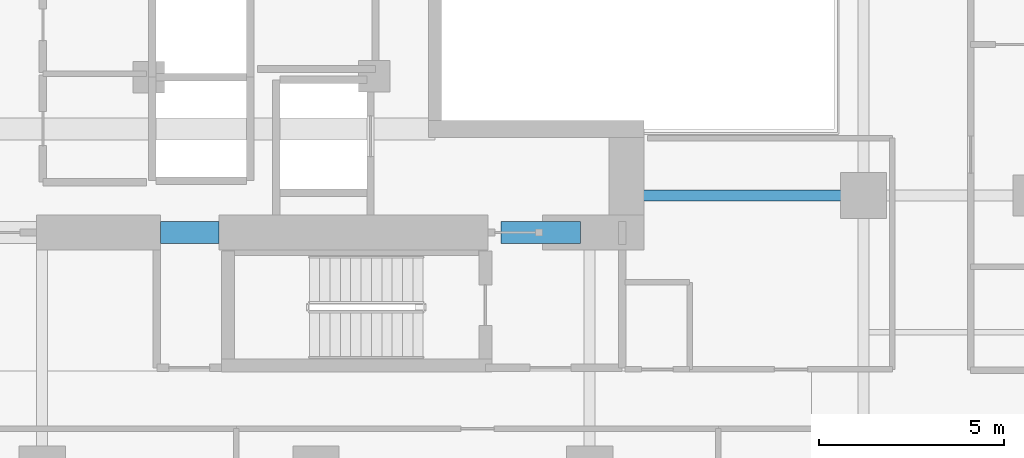
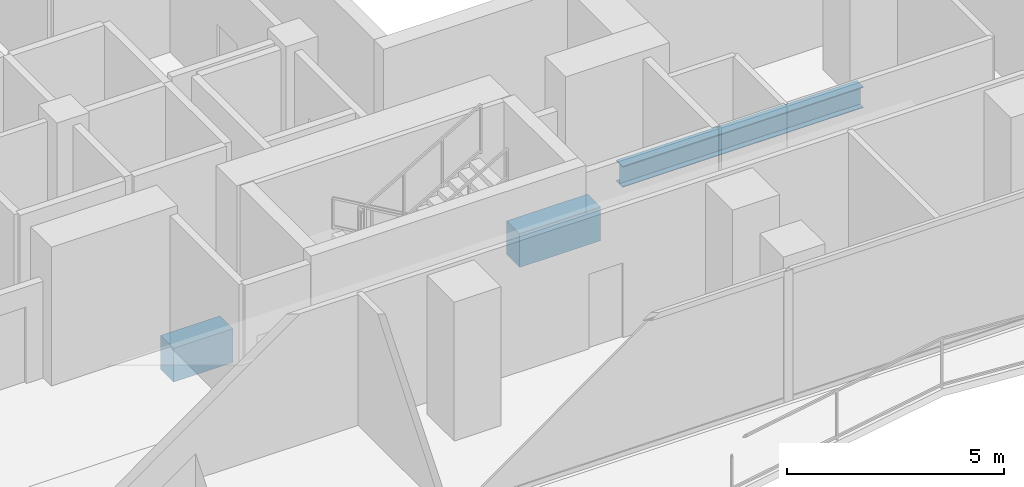
# One storey, part 5 of 27: 3 beams.
"""IFC4 building model written with IfcOpenShell, lengths in metres."""

import ifcopenshell
import ifcopenshell.guid

model = None  # the IFC model being written
_history = None  # IfcOwnerHistory: only IFC2X3 demands one
_inside = {}  # id of a spatial element -> (the spatial element, [elements in it])
_under = {}  # id of a project, library or spatial element -> (it, [spatial elements below it])
_declared = {}  # id of a project -> (the project, [libraries it declares])
_typed = {}  # id of a type object -> (the type object, [elements of that type])
_made_of = {}  # id of a material, layer set ... -> (it, [elements and type objects made of it])


def new_model(schema):
    """Start an empty IFC model of exactly this schema.

    Asked for "IFC4X3", IfcOpenShell would pick the latest addendum, in which some entities
    have other attributes; the version numbers below select the first issue.
    IFC2X3 requires an IfcOwnerHistory on every rooted entity: one is made here for all.
    """
    global model, _history
    if schema == "IFC4X3":
        model = ifcopenshell.file(schema_version=(4, 3, 0, 0))
    else:
        model = ifcopenshell.file(schema=schema)
    _inside.clear()
    _under.clear()
    _declared.clear()
    _typed.clear()
    _made_of.clear()
    _history = None
    if model.schema == "IFC2X3":
        org = make("IfcOrganization", Name="unknown")
        user = make(
            "IfcPersonAndOrganization",
            ThePerson=make("IfcPerson", FamilyName="unknown"),
            TheOrganization=org,
        )
        app = make(
            "IfcApplication",
            ApplicationDeveloper=org,
            Version="unknown",
            ApplicationFullName="unknown",
            ApplicationIdentifier="unknown",
        )
        _history = make(
            "IfcOwnerHistory",
            OwningUser=user,
            OwningApplication=app,
            ChangeAction="ADDED",
            CreationDate=0,
        )
    return model


def make(cls, **values):
    """One entity of the class cls with the attributes given. An attribute that is None is left unset."""
    return model.create_entity(
        cls, **{name: value for name, value in values.items() if value is not None}
    )


def rooted(cls, **values):
    """An entity with a GlobalId (a new one), such as an element, a storey or a relation."""
    return make(cls, GlobalId=ifcopenshell.guid.new(), OwnerHistory=_history, **values)


def si_unit(unit_type, name, prefix=None):
    """IfcSIUnit, for example si_unit("LENGTHUNIT", "METRE", prefix="MILLI")."""
    return make("IfcSIUnit", UnitType=unit_type, Prefix=prefix, Name=name)


def assignment(units):
    """IfcUnitAssignment: the units of a project."""
    return None if units is None else make("IfcUnitAssignment", Units=units)


def point(xyz):
    """IfcCartesianPoint."""
    return None if xyz is None else make("IfcCartesianPoint", Coordinates=xyz)


def direction(xyz):
    """IfcDirection."""
    return None if xyz is None else make("IfcDirection", DirectionRatios=xyz)


def frame(location, z_axis=None, x_axis=None):
    """IfcAxis2Placement3D, a coordinate frame: its origin and axes. An axis left out is left unset."""
    return make(
        "IfcAxis2Placement3D",
        Location=point(location),
        Axis=direction(z_axis),
        RefDirection=direction(x_axis),
    )


def frame_2d(location, x_axis=None):
    """IfcAxis2Placement2D, a coordinate frame in the plane: its origin and x axis."""
    return make(
        "IfcAxis2Placement2D", Location=point(location), RefDirection=direction(x_axis)
    )


def origin():
    """The frame at (0, 0, 0) with its axes left unset."""
    return frame((0.0, 0.0, 0.0))


def origin_2d():
    """The frame at (0, 0) in the plane with its x axis left unset."""
    return frame_2d((0.0, 0.0))


def place(relative_to, where):
    """IfcLocalPlacement: puts the frame where relative to a parent placement (None: the world)."""
    return make(
        "IfcLocalPlacement", PlacementRelTo=relative_to, RelativePlacement=where
    )


def context(
    kind, dimensions, precision=None, world=None, true_north=None, identifier=None
):
    """IfcGeometricRepresentationContext, for example the 3D "Model" context."""
    return make(
        "IfcGeometricRepresentationContext",
        ContextIdentifier=identifier,
        ContextType=kind,
        CoordinateSpaceDimension=dimensions,
        Precision=precision,
        WorldCoordinateSystem=world,
        TrueNorth=true_north,
    )


def subcontext(parent, identifier, kind, view, scale=None):
    """IfcGeometricRepresentationSubContext, for example "Body" below "Model"."""
    return make(
        "IfcGeometricRepresentationSubContext",
        ContextIdentifier=identifier,
        ContextType=kind,
        ParentContext=parent,
        TargetScale=scale,
        TargetView=view,
    )


def project(units=None, contexts=None):
    """IfcProject with its units and contexts."""
    return rooted(
        "IfcProject",
        Name="project",
        RepresentationContexts=contexts,
        UnitsInContext=assignment(units),
    )


def spatial(cls, under=None, at=None, **own):
    """A site, building, storey or space (cls), placed at a placement, below another one or the project."""
    s = rooted(cls, ObjectPlacement=at, **own)
    if under is not None:
        _under.setdefault(under.id(), (under, []))[1].append(s)
    return s


def profile(cls, at=None, kind="AREA", **sizes):
    """A parametric profile (cls). Its sizes go by their IFC names, for example OverallWidth=200.0."""
    return make(cls, ProfileType=kind, Position=at, **sizes)


def rectangle(**sizes):
    """IfcRectangleProfileDef."""
    return profile("IfcRectangleProfileDef", **sizes)


def i_section(**sizes):
    """IfcIShapeProfileDef."""
    return profile("IfcIShapeProfileDef", **sizes)


def extrude(swept, where, along, depth):
    """IfcExtrudedAreaSolid: the profile swept, set in the frame where, extruded along a direction by depth."""
    return make(
        "IfcExtrudedAreaSolid",
        SweptArea=swept,
        Position=where,
        ExtrudedDirection=direction(along),
        Depth=depth,
    )


def shape(context_of_items, identifier, shape_type, items):
    """IfcShapeRepresentation: the items that make up one representation, for example the "Body"."""
    return make(
        "IfcShapeRepresentation",
        ContextOfItems=context_of_items,
        RepresentationIdentifier=identifier,
        RepresentationType=shape_type,
        Items=items,
    )


def material(Name=None, Category=None):
    """IfcMaterial."""
    return make("IfcMaterial", Name=Name, Category=Category)


def material_profile(
    of_material, cross_section, Name=None, Category=None, Priority=None
):
    """IfcMaterialProfile: a cross section and its material."""
    return make(
        "IfcMaterialProfile",
        Name=Name,
        Material=of_material,
        Profile=cross_section,
        Priority=Priority,
        Category=Category,
    )


def profile_set(profiles, Name=None, composite=None):
    """IfcMaterialProfileSet."""
    return make(
        "IfcMaterialProfileSet",
        Name=Name,
        MaterialProfiles=profiles,
        CompositeProfile=composite,
    )


def made_of(thing, what):
    """Note that an element or type object is made of a material, layer set ...; save() writes the relation."""
    if what is not None:
        _made_of.setdefault(what.id(), (what, []))[1].append(thing)
    return thing


def type_object(cls, material=None, **own):
    """A type object (cls), such as IfcWallType, which elements share."""
    return made_of(rooted(cls, **own), material)


def element(
    cls,
    number,
    at=None,
    inside=None,
    cuts=None,
    type_object=None,
    material=None,
    context=None,
    identifier="Body",
    shape_type=None,
    held_by="IfcProductDefinitionShape",
    body=None,
    shapes=None,
    **own,
):
    """One element of the class cls, such as IfcWall. Its Tag is "e" and its number.

    at: its placement. inside: the storey or other place that contains it. cuts: it is an
    opening in that element (IfcRelVoidsElement). A single representation is given by context,
    identifier, shape_type and body (its items); several are given by shapes. held_by: the class
    of the entity that holds the representations. save() writes the other relations.
    """
    e = rooted(cls, Tag="e%d" % number, ObjectPlacement=at, **own)
    if body is not None:
        shapes = [shape(context, identifier, shape_type, body)]
    if shapes is not None:
        e.Representation = make(held_by, Representations=shapes)
    if inside is not None:
        _inside.setdefault(inside.id(), (inside, []))[1].append(e)
    if cuts is not None:
        rooted(
            "IfcRelVoidsElement", RelatingBuildingElement=cuts, RelatedOpeningElement=e
        )
    if type_object is not None:
        _typed.setdefault(type_object.id(), (type_object, []))[1].append(e)
    return made_of(e, material)


def aggregate(whole, parts):
    """IfcRelAggregates: a whole, such as a stair, and the parts it consists of."""
    return rooted("IfcRelAggregates", RelatingObject=whole, RelatedObjects=parts)


def save(model, path):
    """Write the relations noted so far, then the file.

    IfcRelAggregates (storeys below a building ...), IfcRelContainedInSpatialStructure (elements
    in a storey), IfcRelDefinesByType, IfcRelAssociatesMaterial and IfcRelDeclares: one each for
    every whole, place, type object, material and project.
    """
    for whole, parts in _under.values():
        aggregate(whole, parts)
    for where, things in _inside.values():
        rooted(
            "IfcRelContainedInSpatialStructure",
            RelatedElements=things,
            RelatingStructure=where,
        )
    for kind, things in _typed.values():
        rooted("IfcRelDefinesByType", RelatedObjects=things, RelatingType=kind)
    for what, things in _made_of.values():
        rooted("IfcRelAssociatesMaterial", RelatedObjects=things, RelatingMaterial=what)
    for by, libraries in _declared.values():
        rooted("IfcRelDeclares", RelatingContext=by, RelatedDefinitions=libraries)
    model.write(path)


model = new_model("IFC4")

# Units and contexts
model_context = context("Model", 3, precision=1e-05, world=origin(), true_north=direction((0.0, 1.0)))
body_context = subcontext(model_context, "Body", "Model", "MODEL_VIEW")
ifc_project = project(units=[si_unit("LENGTHUNIT", "METRE"), si_unit("AREAUNIT", "SQUARE_METRE"), si_unit("VOLUMEUNIT", "CUBIC_METRE"), si_unit("PLANEANGLEUNIT", "RADIAN"), si_unit("MASSUNIT", "GRAM", prefix="KILO")], contexts=[model_context])

# Site, building, storey
site_placement = place(None, origin())
site = spatial("IfcSite", under=ifc_project, at=site_placement, CompositionType="ELEMENT")
building_placement = place(site_placement, origin())
building = spatial("IfcBuilding", under=site, at=building_placement, Name="Khorvyn Point Tower", CompositionType="ELEMENT")
storey_placement = place(building_placement, frame((0.0, 0.0, 129.0)))
storey = spatial("IfcBuildingStorey", under=building, at=storey_placement, Name="L32", CompositionType="ELEMENT", Elevation=129.0)

# Beams
ifc_material_1 = material(Name="Concrete C50/60", Category="concrete")
ifc_material_profile_1 = material_profile(ifc_material_1, rectangle(XDim=0.60009765625, YDim=0.949951171875, at=origin_2d()))
ifc_profile_set_1 = profile_set([ifc_material_profile_1], Name="Concrete C50/60 RC600x950")
beam_type_1 = type_object("IfcBeamType", Name="Concrete C50/60 Beam RC600x950", PredefinedType="BEAM", material=ifc_profile_set_1)
beam_1_placement = place(storey_placement, frame((-4.199951171875, -8.39990234375, -0.695068359375), z_axis=(1.0, 0.0, 0.0), x_axis=(0.0, 1.0, 0.0)))
element("IfcBeam", 1, at=beam_1_placement, inside=storey, type_object=beam_type_1, Name="L32 Core Shuttle Portal Coupling Beam", PredefinedType="BEAM", context=body_context, shape_type="SweptSolid", body=[
    extrude(rectangle(XDim=0.60009765625, YDim=0.949951171875, at=origin_2d()), origin(), (0.0, 0.0, 1.0), 1.579833984375),
])
beam_2_placement = place(storey_placement, frame((5.0, -8.39990234375, -0.695068359375), z_axis=(1.0, 0.0, 0.0), x_axis=(0.0, 1.0, 0.0)))
element("IfcBeam", 2, at=beam_2_placement, inside=storey, type_object=beam_type_1, Name="L32 Core Southeast Portal Coupling Beam", PredefinedType="BEAM", context=body_context, shape_type="SweptSolid", body=[
    extrude(rectangle(XDim=0.60009765625, YDim=0.949951171875, at=origin_2d()), origin(), (0.0, 0.0, 1.0), 2.14990234375),
])
ifc_material_2 = material(Name="Steel S355", Category="steel")
ifc_material_profile_2 = material_profile(ifc_material_2, i_section(OverallWidth=0.300048828125, OverallDepth=0.587890625, WebThickness=0.011962890625, FlangeThickness=0.02001953125, at=origin_2d()))
ifc_profile_set_2 = profile_set([ifc_material_profile_2], Name="Steel S355 H588x300x12x20")
beam_type_2 = type_object("IfcBeamType", Name="Steel S355 Beam H588x300x12x20", PredefinedType="BEAM", material=ifc_profile_set_2)
beam_3_placement = place(storey_placement, frame((8.39990234375, -7.39990234375, -0.513916015625), z_axis=(1.0, 0.0, 0.0), x_axis=(0.0, 1.0, 0.0)))
element("IfcBeam", 3, at=beam_3_placement, inside=storey, type_object=beam_type_2, Name="Beam", PredefinedType="BEAM", context=body_context, shape_type="SweptSolid", body=[
    extrude(i_section(OverallWidth=0.300048828125, OverallDepth=0.587890625, WebThickness=0.011962890625, FlangeThickness=0.02001953125, at=origin_2d()), origin(), (0.0, 0.0, 1.0), 6.400146484375),
])

save(model, "model.ifc")
